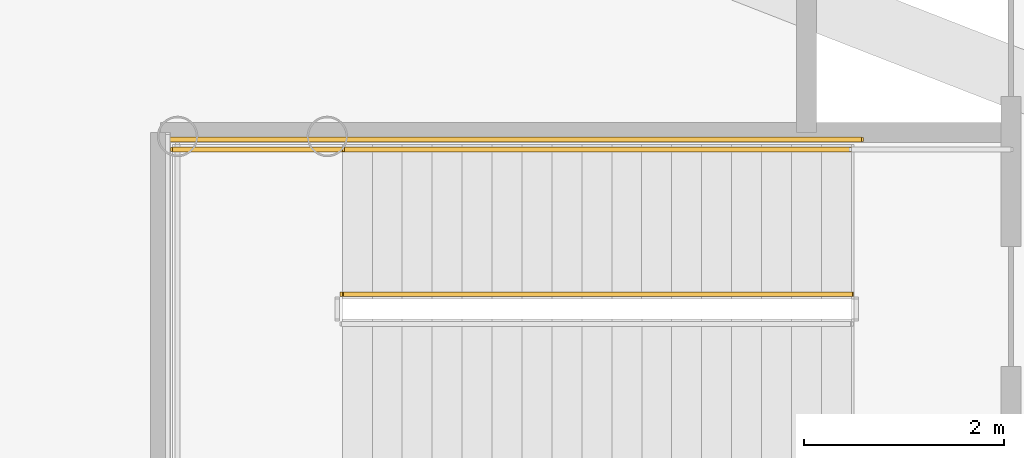
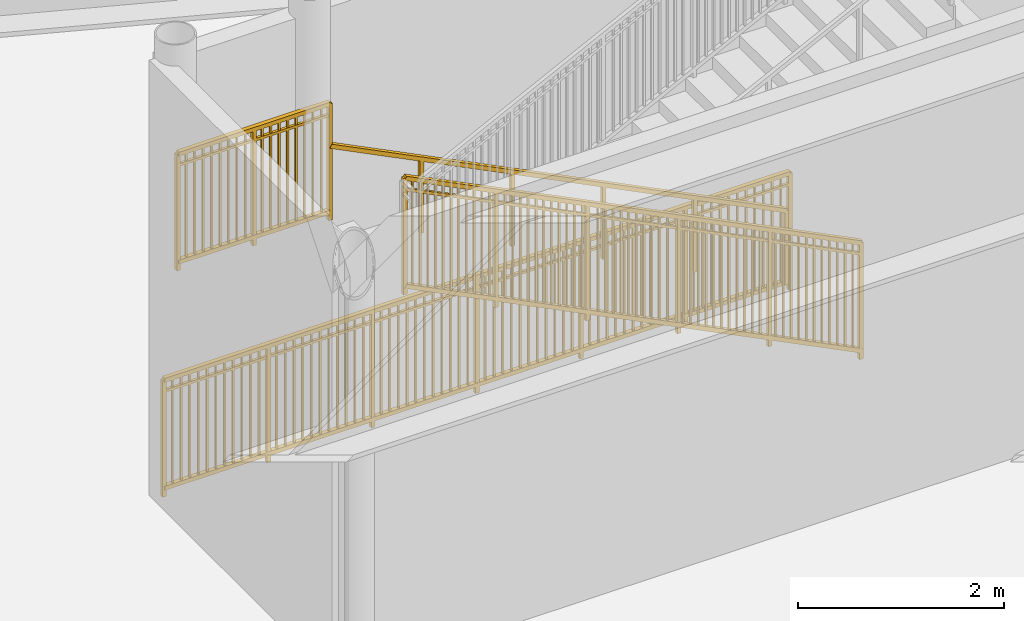
# One storey, part 29 of 39: 4 railings.
"""IFC4 building model written with IfcOpenShell, lengths in metres."""

from ifc_helpers import new_model, si_unit, direction, frame, origin, origin_2d, place, context, subcontext, project, spatial, rectangle, extrude, source, transform, mapped, material, type_object, element, save


model = new_model("IFC4")

# Units and contexts
model_context = context("Model", 3, precision=1e-05, world=origin(), true_north=direction((0.0, 1.0)))
body_context = subcontext(model_context, "Body", "Model", "MODEL_VIEW")
ifc_project = project(units=[si_unit("LENGTHUNIT", "METRE"), si_unit("AREAUNIT", "SQUARE_METRE"), si_unit("VOLUMEUNIT", "CUBIC_METRE"), si_unit("PLANEANGLEUNIT", "RADIAN"), si_unit("MASSUNIT", "GRAM", prefix="KILO")], contexts=[model_context])

# Site, building, storey
site_placement = place(None, origin())
site = spatial("IfcSite", under=ifc_project, at=site_placement, CompositionType="ELEMENT")
building_placement = place(site_placement, origin())
building = spatial("IfcBuilding", under=site, at=building_placement, Name="Linh Dai School and Residence Tower", CompositionType="ELEMENT")
storey_placement = place(building_placement, frame((0.0, 0.0, 27.0)))
storey = spatial("IfcBuildingStorey", under=building, at=storey_placement, Name="L06", CompositionType="ELEMENT", Elevation=27.0)

# Railings
ifc_material_1 = material(Name="Structural Steel S355JR", Category="steel")
railing_type_1 = type_object("IfcRailingType", Name="RL-ST-GUARD-1400", PredefinedType="GUARDRAIL", material=ifc_material_1)
shared_shape_1 = source(origin(), body_context, "Body", "SweptSolid", [
    extrude(rectangle(XDim=0.048095703125, YDim=0.048095703125, at=origin_2d()), frame((0.0, 0.0, 1.3759765625), z_axis=(-1.0, 0.0, 0.0), x_axis=(0.0, -1.0, 0.0)), (0.0, 0.0, 1.0), 7.0),
    extrude(rectangle(XDim=0.048095703125, YDim=0.048095703125, at=origin_2d()), frame((0.0, 0.0, 0.10009765625), z_axis=(-1.0, 0.0, 0.0), x_axis=(0.0, -1.0, 0.0)), (0.0, 0.0, 1.0), 7.0),
    extrude(rectangle(XDim=0.030029296875, YDim=0.030029296875, at=origin_2d()), frame((0.0, 0.0, 1.239990234375), z_axis=(-1.0, 0.0, 0.0), x_axis=(0.0, -1.0, 0.0)), (0.0, 0.0, 1.0), 7.0),
    extrude(rectangle(XDim=0.02001953125, YDim=0.02001953125, at=origin_2d()), frame((-0.09716796875, 0.0, 0.10009765625)), (0.0, 0.0, 1.0), 1.251708984375),
    extrude(rectangle(XDim=0.02001953125, YDim=0.02001953125, at=origin_2d()), frame((-0.1943359375, 0.0, 0.10009765625)), (0.0, 0.0, 1.0), 1.251708984375),
    extrude(rectangle(XDim=0.02001953125, YDim=0.02001953125, at=origin_2d()), frame((-0.291748046875, 0.0, 0.10009765625)), (0.0, 0.0, 1.0), 1.251708984375),
    extrude(rectangle(XDim=0.02001953125, YDim=0.02001953125, at=origin_2d()), frame((-0.388916015625, 0.0, 0.10009765625)), (0.0, 0.0, 1.0), 1.251708984375),
    extrude(rectangle(XDim=0.02001953125, YDim=0.02001953125, at=origin_2d()), frame((-0.486083984375, 0.0, 0.10009765625)), (0.0, 0.0, 1.0), 1.251708984375),
    extrude(rectangle(XDim=0.02001953125, YDim=0.02001953125, at=origin_2d()), frame((-0.583251953125, 0.0, 0.10009765625)), (0.0, 0.0, 1.0), 1.251708984375),
    extrude(rectangle(XDim=0.02001953125, YDim=0.02001953125, at=origin_2d()), frame((-0.6806640625, 0.0, 0.10009765625)), (0.0, 0.0, 1.0), 1.251708984375),
    extrude(rectangle(XDim=0.02001953125, YDim=0.02001953125, at=origin_2d()), frame((-0.77783203125, 0.0, 0.10009765625)), (0.0, 0.0, 1.0), 1.251708984375),
    extrude(rectangle(XDim=0.02001953125, YDim=0.02001953125, at=origin_2d()), frame((-0.875, 0.0, 0.10009765625)), (0.0, 0.0, 1.0), 1.251708984375),
    extrude(rectangle(XDim=0.02001953125, YDim=0.02001953125, at=origin_2d()), frame((-0.97216796875, 0.0, 0.10009765625)), (0.0, 0.0, 1.0), 1.251708984375),
    extrude(rectangle(XDim=0.02001953125, YDim=0.02001953125, at=origin_2d()), frame((-1.0693359375, 0.0, 0.10009765625)), (0.0, 0.0, 1.0), 1.251708984375),
    extrude(rectangle(XDim=0.02001953125, YDim=0.02001953125, at=origin_2d()), frame((-1.263916015625, 0.0, 0.10009765625)), (0.0, 0.0, 1.0), 1.251708984375),
    extrude(rectangle(XDim=0.02001953125, YDim=0.02001953125, at=origin_2d()), frame((-1.361083984375, 0.0, 0.10009765625)), (0.0, 0.0, 1.0), 1.251708984375),
    extrude(rectangle(XDim=0.02001953125, YDim=0.02001953125, at=origin_2d()), frame((-1.458251953125, 0.0, 0.10009765625)), (0.0, 0.0, 1.0), 1.251708984375),
    extrude(rectangle(XDim=0.02001953125, YDim=0.02001953125, at=origin_2d()), frame((-1.5556640625, 0.0, 0.10009765625)), (0.0, 0.0, 1.0), 1.251708984375),
    extrude(rectangle(XDim=0.02001953125, YDim=0.02001953125, at=origin_2d()), frame((-1.65283203125, 0.0, 0.10009765625)), (0.0, 0.0, 1.0), 1.251708984375),
    extrude(rectangle(XDim=0.02001953125, YDim=0.02001953125, at=origin_2d()), frame((-1.75, 0.0, 0.10009765625)), (0.0, 0.0, 1.0), 1.251708984375),
    extrude(rectangle(XDim=0.02001953125, YDim=0.02001953125, at=origin_2d()), frame((-1.84716796875, 0.0, 0.10009765625)), (0.0, 0.0, 1.0), 1.251708984375),
    extrude(rectangle(XDim=0.02001953125, YDim=0.02001953125, at=origin_2d()), frame((-1.9443359375, 0.0, 0.10009765625)), (0.0, 0.0, 1.0), 1.251708984375),
    extrude(rectangle(XDim=0.02001953125, YDim=0.02001953125, at=origin_2d()), frame((-2.041748046875, 0.0, 0.10009765625)), (0.0, 0.0, 1.0), 1.251708984375),
    extrude(rectangle(XDim=0.02001953125, YDim=0.02001953125, at=origin_2d()), frame((-2.138916015625, 0.0, 0.10009765625)), (0.0, 0.0, 1.0), 1.251708984375),
    extrude(rectangle(XDim=0.02001953125, YDim=0.02001953125, at=origin_2d()), frame((-2.236083984375, 0.0, 0.10009765625)), (0.0, 0.0, 1.0), 1.251708984375),
    extrude(rectangle(XDim=0.02001953125, YDim=0.02001953125, at=origin_2d()), frame((-2.4306640625, 0.0, 0.10009765625)), (0.0, 0.0, 1.0), 1.251708984375),
    extrude(rectangle(XDim=0.02001953125, YDim=0.02001953125, at=origin_2d()), frame((-2.52783203125, 0.0, 0.10009765625)), (0.0, 0.0, 1.0), 1.251708984375),
    extrude(rectangle(XDim=0.02001953125, YDim=0.02001953125, at=origin_2d()), frame((-2.625, 0.0, 0.10009765625)), (0.0, 0.0, 1.0), 1.251708984375),
    extrude(rectangle(XDim=0.02001953125, YDim=0.02001953125, at=origin_2d()), frame((-2.72216796875, 0.0, 0.10009765625)), (0.0, 0.0, 1.0), 1.251708984375),
    extrude(rectangle(XDim=0.02001953125, YDim=0.02001953125, at=origin_2d()), frame((-2.8193359375, 0.0, 0.10009765625)), (0.0, 0.0, 1.0), 1.251708984375),
    extrude(rectangle(XDim=0.02001953125, YDim=0.02001953125, at=origin_2d()), frame((-2.916748046875, 0.0, 0.10009765625)), (0.0, 0.0, 1.0), 1.251708984375),
    extrude(rectangle(XDim=0.02001953125, YDim=0.02001953125, at=origin_2d()), frame((-3.013916015625, 0.0, 0.10009765625)), (0.0, 0.0, 1.0), 1.251708984375),
    extrude(rectangle(XDim=0.02001953125, YDim=0.02001953125, at=origin_2d()), frame((-3.111083984375, 0.0, 0.10009765625)), (0.0, 0.0, 1.0), 1.251708984375),
    extrude(rectangle(XDim=0.02001953125, YDim=0.02001953125, at=origin_2d()), frame((-3.208251953125, 0.0, 0.10009765625)), (0.0, 0.0, 1.0), 1.251708984375),
    extrude(rectangle(XDim=0.02001953125, YDim=0.02001953125, at=origin_2d()), frame((-3.3056640625, 0.0, 0.10009765625)), (0.0, 0.0, 1.0), 1.251708984375),
    extrude(rectangle(XDim=0.02001953125, YDim=0.02001953125, at=origin_2d()), frame((-3.40283203125, 0.0, 0.10009765625)), (0.0, 0.0, 1.0), 1.251708984375),
    extrude(rectangle(XDim=0.02001953125, YDim=0.02001953125, at=origin_2d()), frame((-3.59716796875, 0.0, 0.10009765625)), (0.0, 0.0, 1.0), 1.251708984375),
    extrude(rectangle(XDim=0.02001953125, YDim=0.02001953125, at=origin_2d()), frame((-3.6943359375, 0.0, 0.10009765625)), (0.0, 0.0, 1.0), 1.251708984375),
    extrude(rectangle(XDim=0.02001953125, YDim=0.02001953125, at=origin_2d()), frame((-3.791748046875, 0.0, 0.10009765625)), (0.0, 0.0, 1.0), 1.251708984375),
    extrude(rectangle(XDim=0.02001953125, YDim=0.02001953125, at=origin_2d()), frame((-3.888916015625, 0.0, 0.10009765625)), (0.0, 0.0, 1.0), 1.251708984375),
    extrude(rectangle(XDim=0.02001953125, YDim=0.02001953125, at=origin_2d()), frame((-3.986083984375, 0.0, 0.10009765625)), (0.0, 0.0, 1.0), 1.251708984375),
    extrude(rectangle(XDim=0.02001953125, YDim=0.02001953125, at=origin_2d()), frame((-4.083251953125, 0.0, 0.10009765625)), (0.0, 0.0, 1.0), 1.251708984375),
    extrude(rectangle(XDim=0.02001953125, YDim=0.02001953125, at=origin_2d()), frame((-4.1806640625, 0.0, 0.10009765625)), (0.0, 0.0, 1.0), 1.251708984375),
    extrude(rectangle(XDim=0.02001953125, YDim=0.02001953125, at=origin_2d()), frame((-4.27783203125, 0.0, 0.10009765625)), (0.0, 0.0, 1.0), 1.251708984375),
    extrude(rectangle(XDim=0.02001953125, YDim=0.02001953125, at=origin_2d()), frame((-4.375, 0.0, 0.10009765625)), (0.0, 0.0, 1.0), 1.251708984375),
    extrude(rectangle(XDim=0.02001953125, YDim=0.02001953125, at=origin_2d()), frame((-4.47216796875, 0.0, 0.10009765625)), (0.0, 0.0, 1.0), 1.251708984375),
    extrude(rectangle(XDim=0.02001953125, YDim=0.02001953125, at=origin_2d()), frame((-4.5693359375, 0.0, 0.10009765625)), (0.0, 0.0, 1.0), 1.251708984375),
    extrude(rectangle(XDim=0.02001953125, YDim=0.02001953125, at=origin_2d()), frame((-4.763916015625, 0.0, 0.10009765625)), (0.0, 0.0, 1.0), 1.251708984375),
    extrude(rectangle(XDim=0.02001953125, YDim=0.02001953125, at=origin_2d()), frame((-4.861083984375, 0.0, 0.10009765625)), (0.0, 0.0, 1.0), 1.251708984375),
    extrude(rectangle(XDim=0.02001953125, YDim=0.02001953125, at=origin_2d()), frame((-4.958251953125, 0.0, 0.10009765625)), (0.0, 0.0, 1.0), 1.251708984375),
    extrude(rectangle(XDim=0.02001953125, YDim=0.02001953125, at=origin_2d()), frame((-5.0556640625, 0.0, 0.10009765625)), (0.0, 0.0, 1.0), 1.251708984375),
    extrude(rectangle(XDim=0.02001953125, YDim=0.02001953125, at=origin_2d()), frame((-5.15283203125, 0.0, 0.10009765625)), (0.0, 0.0, 1.0), 1.251708984375),
    extrude(rectangle(XDim=0.02001953125, YDim=0.02001953125, at=origin_2d()), frame((-5.25, 0.0, 0.10009765625)), (0.0, 0.0, 1.0), 1.251708984375),
    extrude(rectangle(XDim=0.02001953125, YDim=0.02001953125, at=origin_2d()), frame((-5.34716796875, 0.0, 0.10009765625)), (0.0, 0.0, 1.0), 1.251708984375),
    extrude(rectangle(XDim=0.02001953125, YDim=0.02001953125, at=origin_2d()), frame((-5.4443359375, 0.0, 0.10009765625)), (0.0, 0.0, 1.0), 1.251708984375),
    extrude(rectangle(XDim=0.02001953125, YDim=0.02001953125, at=origin_2d()), frame((-5.541748046875, 0.0, 0.10009765625)), (0.0, 0.0, 1.0), 1.251708984375),
    extrude(rectangle(XDim=0.02001953125, YDim=0.02001953125, at=origin_2d()), frame((-5.638916015625, 0.0, 0.10009765625)), (0.0, 0.0, 1.0), 1.251708984375),
    extrude(rectangle(XDim=0.02001953125, YDim=0.02001953125, at=origin_2d()), frame((-5.736083984375, 0.0, 0.10009765625)), (0.0, 0.0, 1.0), 1.251708984375),
    extrude(rectangle(XDim=0.02001953125, YDim=0.02001953125, at=origin_2d()), frame((-5.9306640625, 0.0, 0.10009765625)), (0.0, 0.0, 1.0), 1.251708984375),
    extrude(rectangle(XDim=0.02001953125, YDim=0.02001953125, at=origin_2d()), frame((-6.02783203125, 0.0, 0.10009765625)), (0.0, 0.0, 1.0), 1.251708984375),
    extrude(rectangle(XDim=0.02001953125, YDim=0.02001953125, at=origin_2d()), frame((-6.125, 0.0, 0.10009765625)), (0.0, 0.0, 1.0), 1.251708984375),
    extrude(rectangle(XDim=0.02001953125, YDim=0.02001953125, at=origin_2d()), frame((-6.22216796875, 0.0, 0.10009765625)), (0.0, 0.0, 1.0), 1.251708984375),
    extrude(rectangle(XDim=0.02001953125, YDim=0.02001953125, at=origin_2d()), frame((-6.3193359375, 0.0, 0.10009765625)), (0.0, 0.0, 1.0), 1.251708984375),
    extrude(rectangle(XDim=0.02001953125, YDim=0.02001953125, at=origin_2d()), frame((-6.416748046875, 0.0, 0.10009765625)), (0.0, 0.0, 1.0), 1.251708984375),
    extrude(rectangle(XDim=0.02001953125, YDim=0.02001953125, at=origin_2d()), frame((-6.513916015625, 0.0, 0.10009765625)), (0.0, 0.0, 1.0), 1.251708984375),
    extrude(rectangle(XDim=0.02001953125, YDim=0.02001953125, at=origin_2d()), frame((-6.611083984375, 0.0, 0.10009765625)), (0.0, 0.0, 1.0), 1.251708984375),
    extrude(rectangle(XDim=0.02001953125, YDim=0.02001953125, at=origin_2d()), frame((-6.708251953125, 0.0, 0.10009765625)), (0.0, 0.0, 1.0), 1.251708984375),
    extrude(rectangle(XDim=0.02001953125, YDim=0.02001953125, at=origin_2d()), frame((-6.8056640625, 0.0, 0.10009765625)), (0.0, 0.0, 1.0), 1.251708984375),
    extrude(rectangle(XDim=0.02001953125, YDim=0.02001953125, at=origin_2d()), frame((-6.90283203125, 0.0, 0.10009765625)), (0.0, 0.0, 1.0), 1.251708984375),
    extrude(rectangle(XDim=0.0419921875, YDim=0.0419921875, at=origin_2d()), origin(), (0.0, 0.0, 1.0), 1.3759765625),
    extrude(rectangle(XDim=0.0419921875, YDim=0.0419921875, at=origin_2d()), frame((-1.166748046875, 0.0, 0.0)), (0.0, 0.0, 1.0), 1.3759765625),
    extrude(rectangle(XDim=0.0419921875, YDim=0.0419921875, at=origin_2d()), frame((-2.333251953125, 0.0, 0.0)), (0.0, 0.0, 1.0), 1.3759765625),
    extrude(rectangle(XDim=0.0419921875, YDim=0.0419921875, at=origin_2d()), frame((-3.5, 0.0, 0.0)), (0.0, 0.0, 1.0), 1.3759765625),
    extrude(rectangle(XDim=0.0419921875, YDim=0.0419921875, at=origin_2d()), frame((-4.666748046875, 0.0, 0.0)), (0.0, 0.0, 1.0), 1.3759765625),
    extrude(rectangle(XDim=0.0419921875, YDim=0.0419921875, at=origin_2d()), frame((-5.833251953125, 0.0, 0.0)), (0.0, 0.0, 1.0), 1.3759765625),
    extrude(rectangle(XDim=0.0419921875, YDim=0.0419921875, at=origin_2d()), frame((-7.0, 0.0, 0.0)), (0.0, 0.0, 1.0), 1.3759765625),
])
railing_1_placement = place(storey_placement, frame((22.5, 31.050048828125, 0.0)))
element("IfcRailing", 1, at=railing_1_placement, inside=storey, type_object=railing_type_1, Name="L06 STS1 stair guard 10", PredefinedType="GUARDRAIL", context=body_context, shape_type="MappedRepresentation", body=[
    mapped(shared_shape_1, transform((0.0, 0.0, 0.0), x_axis=(1.0, 0.0, 0.0), y_axis=(0.0, 1.0, 0.0), z_axis=(0.0, 0.0, 1.0), scale=1.0)),
])
shared_shape_2 = source(origin(), body_context, "Body", "SweptSolid", [
    extrude(rectangle(XDim=0.048095703125, YDim=0.048095703125, at=origin_2d()), frame((0.0, 0.0, 1.3759765625), z_axis=(-0.894418627299, 0.0, 0.447230722492), x_axis=(0.0, -1.0, 0.0)), (0.0, 0.0, 1.0), 5.701904296875),
    extrude(rectangle(XDim=0.048095703125, YDim=0.048095703125, at=origin_2d()), frame((0.0, 0.0, 0.10009765625), z_axis=(-0.894418627299, 0.0, 0.447230722492), x_axis=(0.0, -1.0, 0.0)), (0.0, 0.0, 1.0), 5.701904296875),
    extrude(rectangle(XDim=0.030029296875, YDim=0.030029296875, at=origin_2d()), frame((0.0, 0.0, 1.239990234375), z_axis=(-0.894418627299, 0.0, 0.447230722492), x_axis=(0.0, -1.0, 0.0)), (0.0, 0.0, 1.0), 5.701904296875),
    extrude(rectangle(XDim=0.02001953125, YDim=0.02001953125, at=origin_2d()), frame((-0.08642578125, 0.0, 0.143310546875)), (0.0, 0.0, 1.0), 1.251708984375),
    extrude(rectangle(XDim=0.02001953125, YDim=0.02001953125, at=origin_2d()), frame((-0.1728515625, 0.0, 0.1865234375)), (0.0, 0.0, 1.0), 1.251708984375),
    extrude(rectangle(XDim=0.02001953125, YDim=0.02001953125, at=origin_2d()), frame((-0.25927734375, 0.0, 0.229736328125)), (0.0, 0.0, 1.0), 1.251708984375),
    extrude(rectangle(XDim=0.02001953125, YDim=0.02001953125, at=origin_2d()), frame((-0.345703125, 0.0, 0.27294921875)), (0.0, 0.0, 1.0), 1.251708984375),
    extrude(rectangle(XDim=0.02001953125, YDim=0.02001953125, at=origin_2d()), frame((-0.43212890625, 0.0, 0.316162109375)), (0.0, 0.0, 1.0), 1.251708984375),
    extrude(rectangle(XDim=0.02001953125, YDim=0.02001953125, at=origin_2d()), frame((-0.5185546875, 0.0, 0.359375)), (0.0, 0.0, 1.0), 1.251708984375),
    extrude(rectangle(XDim=0.02001953125, YDim=0.02001953125, at=origin_2d()), frame((-0.60498046875, 0.0, 0.402587890625)), (0.0, 0.0, 1.0), 1.251708984375),
    extrude(rectangle(XDim=0.02001953125, YDim=0.02001953125, at=origin_2d()), frame((-0.69140625, 0.0, 0.44580078125)), (0.0, 0.0, 1.0), 1.251708984375),
    extrude(rectangle(XDim=0.02001953125, YDim=0.02001953125, at=origin_2d()), frame((-0.77783203125, 0.0, 0.489013671875)), (0.0, 0.0, 1.0), 1.251708984375),
    extrude(rectangle(XDim=0.02001953125, YDim=0.02001953125, at=origin_2d()), frame((-0.864501953125, 0.0, 0.5322265625)), (0.0, 0.0, 1.0), 1.251708984375),
    extrude(rectangle(XDim=0.02001953125, YDim=0.02001953125, at=origin_2d()), frame((-0.950927734375, 0.0, 0.575439453125)), (0.0, 0.0, 1.0), 1.251708984375),
    extrude(rectangle(XDim=0.02001953125, YDim=0.02001953125, at=origin_2d()), frame((-1.123779296875, 0.0, 0.661865234375)), (0.0, 0.0, 1.0), 1.251708984375),
    extrude(rectangle(XDim=0.02001953125, YDim=0.02001953125, at=origin_2d()), frame((-1.210205078125, 0.0, 0.705078125)), (0.0, 0.0, 1.0), 1.251708984375),
    extrude(rectangle(XDim=0.02001953125, YDim=0.02001953125, at=origin_2d()), frame((-1.296630859375, 0.0, 0.74853515625)), (0.0, 0.0, 1.0), 1.251708984375),
    extrude(rectangle(XDim=0.02001953125, YDim=0.02001953125, at=origin_2d()), frame((-1.383056640625, 0.0, 0.791748046875)), (0.0, 0.0, 1.0), 1.251708984375),
    extrude(rectangle(XDim=0.02001953125, YDim=0.02001953125, at=origin_2d()), frame((-1.469482421875, 0.0, 0.8349609375)), (0.0, 0.0, 1.0), 1.251708984375),
    extrude(rectangle(XDim=0.02001953125, YDim=0.02001953125, at=origin_2d()), frame((-1.555908203125, 0.0, 0.878173828125)), (0.0, 0.0, 1.0), 1.251708984375),
    extrude(rectangle(XDim=0.02001953125, YDim=0.02001953125, at=origin_2d()), frame((-1.642333984375, 0.0, 0.92138671875)), (0.0, 0.0, 1.0), 1.251708984375),
    extrude(rectangle(XDim=0.02001953125, YDim=0.02001953125, at=origin_2d()), frame((-1.728759765625, 0.0, 0.964599609375)), (0.0, 0.0, 1.0), 1.251708984375),
    extrude(rectangle(XDim=0.02001953125, YDim=0.02001953125, at=origin_2d()), frame((-1.815185546875, 0.0, 1.0078125)), (0.0, 0.0, 1.0), 1.251708984375),
    extrude(rectangle(XDim=0.02001953125, YDim=0.02001953125, at=origin_2d()), frame((-1.901611328125, 0.0, 1.051025390625)), (0.0, 0.0, 1.0), 1.251708984375),
    extrude(rectangle(XDim=0.02001953125, YDim=0.02001953125, at=origin_2d()), frame((-1.988037109375, 0.0, 1.09423828125)), (0.0, 0.0, 1.0), 1.251708984375),
    extrude(rectangle(XDim=0.02001953125, YDim=0.02001953125, at=origin_2d()), frame((-2.160888671875, 0.0, 1.1806640625)), (0.0, 0.0, 1.0), 1.251708984375),
    extrude(rectangle(XDim=0.02001953125, YDim=0.02001953125, at=origin_2d()), frame((-2.247314453125, 0.0, 1.223876953125)), (0.0, 0.0, 1.0), 1.251708984375),
    extrude(rectangle(XDim=0.02001953125, YDim=0.02001953125, at=origin_2d()), frame((-2.333740234375, 0.0, 1.26708984375)), (0.0, 0.0, 1.0), 1.251708984375),
    extrude(rectangle(XDim=0.02001953125, YDim=0.02001953125, at=origin_2d()), frame((-2.420166015625, 0.0, 1.310302734375)), (0.0, 0.0, 1.0), 1.251708984375),
    extrude(rectangle(XDim=0.02001953125, YDim=0.02001953125, at=origin_2d()), frame((-2.506591796875, 0.0, 1.353515625)), (0.0, 0.0, 1.0), 1.251708984375),
    extrude(rectangle(XDim=0.02001953125, YDim=0.02001953125, at=origin_2d()), frame((-2.59326171875, 0.0, 1.396728515625)), (0.0, 0.0, 1.0), 1.251708984375),
    extrude(rectangle(XDim=0.02001953125, YDim=0.02001953125, at=origin_2d()), frame((-2.6796875, 0.0, 1.43994140625)), (0.0, 0.0, 1.0), 1.251708984375),
    extrude(rectangle(XDim=0.02001953125, YDim=0.02001953125, at=origin_2d()), frame((-2.76611328125, 0.0, 1.483154296875)), (0.0, 0.0, 1.0), 1.251708984375),
    extrude(rectangle(XDim=0.02001953125, YDim=0.02001953125, at=origin_2d()), frame((-2.8525390625, 0.0, 1.5263671875)), (0.0, 0.0, 1.0), 1.251708984375),
    extrude(rectangle(XDim=0.02001953125, YDim=0.02001953125, at=origin_2d()), frame((-2.93896484375, 0.0, 1.569580078125)), (0.0, 0.0, 1.0), 1.251708984375),
    extrude(rectangle(XDim=0.02001953125, YDim=0.02001953125, at=origin_2d()), frame((-3.11181640625, 0.0, 1.656005859375)), (0.0, 0.0, 1.0), 1.251708984375),
    extrude(rectangle(XDim=0.02001953125, YDim=0.02001953125, at=origin_2d()), frame((-3.1982421875, 0.0, 1.69921875)), (0.0, 0.0, 1.0), 1.251708984375),
    extrude(rectangle(XDim=0.02001953125, YDim=0.02001953125, at=origin_2d()), frame((-3.28466796875, 0.0, 1.742431640625)), (0.0, 0.0, 1.0), 1.251708984375),
    extrude(rectangle(XDim=0.02001953125, YDim=0.02001953125, at=origin_2d()), frame((-3.37109375, 0.0, 1.78564453125)), (0.0, 0.0, 1.0), 1.251708984375),
    extrude(rectangle(XDim=0.02001953125, YDim=0.02001953125, at=origin_2d()), frame((-3.45751953125, 0.0, 1.828857421875)), (0.0, 0.0, 1.0), 1.251708984375),
    extrude(rectangle(XDim=0.02001953125, YDim=0.02001953125, at=origin_2d()), frame((-3.5439453125, 0.0, 1.8720703125)), (0.0, 0.0, 1.0), 1.251708984375),
    extrude(rectangle(XDim=0.02001953125, YDim=0.02001953125, at=origin_2d()), frame((-3.63037109375, 0.0, 1.915283203125)), (0.0, 0.0, 1.0), 1.251708984375),
    extrude(rectangle(XDim=0.02001953125, YDim=0.02001953125, at=origin_2d()), frame((-3.716796875, 0.0, 1.95849609375)), (0.0, 0.0, 1.0), 1.251708984375),
    extrude(rectangle(XDim=0.02001953125, YDim=0.02001953125, at=origin_2d()), frame((-3.80322265625, 0.0, 2.001708984375)), (0.0, 0.0, 1.0), 1.251708984375),
    extrude(rectangle(XDim=0.02001953125, YDim=0.02001953125, at=origin_2d()), frame((-3.8896484375, 0.0, 2.045166015625)), (0.0, 0.0, 1.0), 1.251708984375),
    extrude(rectangle(XDim=0.02001953125, YDim=0.02001953125, at=origin_2d()), frame((-3.97607421875, 0.0, 2.08837890625)), (0.0, 0.0, 1.0), 1.251708984375),
    extrude(rectangle(XDim=0.02001953125, YDim=0.02001953125, at=origin_2d()), frame((-4.14892578125, 0.0, 2.1748046875)), (0.0, 0.0, 1.0), 1.251708984375),
    extrude(rectangle(XDim=0.02001953125, YDim=0.02001953125, at=origin_2d()), frame((-4.2353515625, 0.0, 2.218017578125)), (0.0, 0.0, 1.0), 1.251708984375),
    extrude(rectangle(XDim=0.02001953125, YDim=0.02001953125, at=origin_2d()), frame((-4.322021484375, 0.0, 2.26123046875)), (0.0, 0.0, 1.0), 1.251708984375),
    extrude(rectangle(XDim=0.02001953125, YDim=0.02001953125, at=origin_2d()), frame((-4.408447265625, 0.0, 2.304443359375)), (0.0, 0.0, 1.0), 1.251708984375),
    extrude(rectangle(XDim=0.02001953125, YDim=0.02001953125, at=origin_2d()), frame((-4.494873046875, 0.0, 2.34765625)), (0.0, 0.0, 1.0), 1.251708984375),
    extrude(rectangle(XDim=0.02001953125, YDim=0.02001953125, at=origin_2d()), frame((-4.581298828125, 0.0, 2.390869140625)), (0.0, 0.0, 1.0), 1.251708984375),
    extrude(rectangle(XDim=0.02001953125, YDim=0.02001953125, at=origin_2d()), frame((-4.667724609375, 0.0, 2.43408203125)), (0.0, 0.0, 1.0), 1.251708984375),
    extrude(rectangle(XDim=0.02001953125, YDim=0.02001953125, at=origin_2d()), frame((-4.754150390625, 0.0, 2.477294921875)), (0.0, 0.0, 1.0), 1.251708984375),
    extrude(rectangle(XDim=0.02001953125, YDim=0.02001953125, at=origin_2d()), frame((-4.840576171875, 0.0, 2.5205078125)), (0.0, 0.0, 1.0), 1.251708984375),
    extrude(rectangle(XDim=0.02001953125, YDim=0.02001953125, at=origin_2d()), frame((-4.927001953125, 0.0, 2.563720703125)), (0.0, 0.0, 1.0), 1.251708984375),
    extrude(rectangle(XDim=0.02001953125, YDim=0.02001953125, at=origin_2d()), frame((-5.013427734375, 0.0, 2.60693359375)), (0.0, 0.0, 1.0), 1.251708984375),
    extrude(rectangle(XDim=0.0419921875, YDim=0.0419921875, at=origin_2d()), origin(), (0.0, 0.0, 1.0), 1.3759765625),
    extrude(rectangle(XDim=0.0419921875, YDim=0.0419921875, at=origin_2d()), frame((-1.02001953125, 0.0, 0.510009765625)), (0.0, 0.0, 1.0), 1.3759765625),
    extrude(rectangle(XDim=0.0419921875, YDim=0.0419921875, at=origin_2d()), frame((-2.0400390625, 0.0, 1.02001953125)), (0.0, 0.0, 1.0), 1.3759765625),
    extrude(rectangle(XDim=0.0419921875, YDim=0.0419921875, at=origin_2d()), frame((-3.059814453125, 0.0, 1.530029296875)), (0.0, 0.0, 1.0), 1.3759765625),
    extrude(rectangle(XDim=0.0419921875, YDim=0.0419921875, at=origin_2d()), frame((-4.079833984375, 0.0, 2.0400390625)), (0.0, 0.0, 1.0), 1.3759765625),
    extrude(rectangle(XDim=0.0419921875, YDim=0.0419921875, at=origin_2d()), frame((-5.099853515625, 0.0, 2.550048828125)), (0.0, 0.0, 1.0), 1.3759765625),
])
railing_2_placement = place(storey_placement, frame((22.39990234375, 29.5, 0.14990234375)))
element("IfcRailing", 2, at=railing_2_placement, inside=storey, type_object=railing_type_1, Name="L06 STS1 stair guard 1", PredefinedType="GUARDRAIL", context=body_context, shape_type="MappedRepresentation", body=[
    mapped(shared_shape_2, transform((0.0, 0.0, 0.0), x_axis=(1.0, 0.0, 0.0), y_axis=(0.0, 1.0, 0.0), z_axis=(0.0, 0.0, 1.0), scale=1.0)),
])
shared_shape_3 = source(origin(), body_context, "Body", "SweptSolid", [
    extrude(rectangle(XDim=0.048095703125, YDim=0.048095703125, at=origin_2d()), frame((0.0, 0.0, 1.3759765625), z_axis=(-1.0, 0.0, 0.0), x_axis=(0.0, -1.0, 0.0)), (0.0, 0.0, 1.0), 1.699951171875),
    extrude(rectangle(XDim=0.048095703125, YDim=0.048095703125, at=origin_2d()), frame((0.0, 0.0, 0.10009765625), z_axis=(-1.0, 0.0, 0.0), x_axis=(0.0, -1.0, 0.0)), (0.0, 0.0, 1.0), 1.699951171875),
    extrude(rectangle(XDim=0.030029296875, YDim=0.030029296875, at=origin_2d()), frame((0.0, 0.0, 1.239990234375), z_axis=(-1.0, 0.0, 0.0), x_axis=(0.0, -1.0, 0.0)), (0.0, 0.0, 1.0), 1.699951171875),
    extrude(rectangle(XDim=0.02001953125, YDim=0.02001953125, at=origin_2d()), frame((-0.094482421875, 0.0, 0.10009765625)), (0.0, 0.0, 1.0), 1.251708984375),
    extrude(rectangle(XDim=0.02001953125, YDim=0.02001953125, at=origin_2d()), frame((-0.18896484375, 0.0, 0.10009765625)), (0.0, 0.0, 1.0), 1.251708984375),
    extrude(rectangle(XDim=0.02001953125, YDim=0.02001953125, at=origin_2d()), frame((-0.283203125, 0.0, 0.10009765625)), (0.0, 0.0, 1.0), 1.251708984375),
    extrude(rectangle(XDim=0.02001953125, YDim=0.02001953125, at=origin_2d()), frame((-0.377685546875, 0.0, 0.10009765625)), (0.0, 0.0, 1.0), 1.251708984375),
    extrude(rectangle(XDim=0.02001953125, YDim=0.02001953125, at=origin_2d()), frame((-0.47216796875, 0.0, 0.10009765625)), (0.0, 0.0, 1.0), 1.251708984375),
    extrude(rectangle(XDim=0.02001953125, YDim=0.02001953125, at=origin_2d()), frame((-0.566650390625, 0.0, 0.10009765625)), (0.0, 0.0, 1.0), 1.251708984375),
    extrude(rectangle(XDim=0.02001953125, YDim=0.02001953125, at=origin_2d()), frame((-0.6611328125, 0.0, 0.10009765625)), (0.0, 0.0, 1.0), 1.251708984375),
    extrude(rectangle(XDim=0.02001953125, YDim=0.02001953125, at=origin_2d()), frame((-0.755615234375, 0.0, 0.10009765625)), (0.0, 0.0, 1.0), 1.251708984375),
    extrude(rectangle(XDim=0.02001953125, YDim=0.02001953125, at=origin_2d()), frame((-0.9443359375, 0.0, 0.10009765625)), (0.0, 0.0, 1.0), 1.251708984375),
    extrude(rectangle(XDim=0.02001953125, YDim=0.02001953125, at=origin_2d()), frame((-1.038818359375, 0.0, 0.10009765625)), (0.0, 0.0, 1.0), 1.251708984375),
    extrude(rectangle(XDim=0.02001953125, YDim=0.02001953125, at=origin_2d()), frame((-1.13330078125, 0.0, 0.10009765625)), (0.0, 0.0, 1.0), 1.251708984375),
    extrude(rectangle(XDim=0.02001953125, YDim=0.02001953125, at=origin_2d()), frame((-1.227783203125, 0.0, 0.10009765625)), (0.0, 0.0, 1.0), 1.251708984375),
    extrude(rectangle(XDim=0.02001953125, YDim=0.02001953125, at=origin_2d()), frame((-1.322265625, 0.0, 0.10009765625)), (0.0, 0.0, 1.0), 1.251708984375),
    extrude(rectangle(XDim=0.02001953125, YDim=0.02001953125, at=origin_2d()), frame((-1.41650390625, 0.0, 0.10009765625)), (0.0, 0.0, 1.0), 1.251708984375),
    extrude(rectangle(XDim=0.02001953125, YDim=0.02001953125, at=origin_2d()), frame((-1.510986328125, 0.0, 0.10009765625)), (0.0, 0.0, 1.0), 1.251708984375),
    extrude(rectangle(XDim=0.02001953125, YDim=0.02001953125, at=origin_2d()), frame((-1.60546875, 0.0, 0.10009765625)), (0.0, 0.0, 1.0), 1.251708984375),
    extrude(rectangle(XDim=0.0419921875, YDim=0.0419921875, at=origin_2d()), origin(), (0.0, 0.0, 1.0), 1.3759765625),
    extrude(rectangle(XDim=0.0419921875, YDim=0.0419921875, at=origin_2d()), frame((-0.85009765625, 0.0, 0.0)), (0.0, 0.0, 1.0), 1.3759765625),
    extrude(rectangle(XDim=0.0419921875, YDim=0.0419921875, at=origin_2d()), frame((-1.699951171875, 0.0, 0.0)), (0.0, 0.0, 1.0), 1.3759765625),
])
railing_3_placement = place(storey_placement, frame((17.300048828125, 30.949951171875, 2.699951171875)))
element("IfcRailing", 3, at=railing_3_placement, inside=storey, type_object=railing_type_1, Name="L06 STS1 stair guard 3", PredefinedType="GUARDRAIL", context=body_context, shape_type="MappedRepresentation", body=[
    mapped(shared_shape_3, transform((0.0, 0.0, 0.0), x_axis=(1.0, 0.0, 0.0), y_axis=(0.0, 1.0, 0.0), z_axis=(0.0, 0.0, 1.0), scale=1.0)),
])
ifc_material_2 = material(Name="Brushed Stainless Steel Handrail", Category="steel")
railing_type_2 = type_object("IfcRailingType", Name="RL-ST-HANDRAIL-900", PredefinedType="HANDRAIL", material=ifc_material_2)
shared_shape_4 = source(origin(), body_context, "Body", "SweptSolid", [
    extrude(rectangle(XDim=0.048095703125, YDim=0.048095703125, at=origin_2d()), frame((0.0, 0.0, 0.8759765625), z_axis=(-0.894418627299, 0.0, 0.447230722492), x_axis=(0.0, -1.0, 0.0)), (0.0, 0.0, 1.0), 5.701904296875),
    extrude(rectangle(XDim=0.0419921875, YDim=0.0419921875, at=origin_2d()), origin(), (0.0, 0.0, 1.0), 0.8759765625),
    extrude(rectangle(XDim=0.0419921875, YDim=0.0419921875, at=origin_2d()), frame((-1.02001953125, 0.0, 0.510009765625)), (0.0, 0.0, 1.0), 0.8759765625),
    extrude(rectangle(XDim=0.0419921875, YDim=0.0419921875, at=origin_2d()), frame((-2.0400390625, 0.0, 1.02001953125)), (0.0, 0.0, 1.0), 0.8759765625),
    extrude(rectangle(XDim=0.0419921875, YDim=0.0419921875, at=origin_2d()), frame((-3.059814453125, 0.0, 1.530029296875)), (0.0, 0.0, 1.0), 0.8759765625),
    extrude(rectangle(XDim=0.0419921875, YDim=0.0419921875, at=origin_2d()), frame((-4.079833984375, 0.0, 2.0400390625)), (0.0, 0.0, 1.0), 0.8759765625),
    extrude(rectangle(XDim=0.0419921875, YDim=0.0419921875, at=origin_2d()), frame((-5.099853515625, 0.0, 2.550048828125)), (0.0, 0.0, 1.0), 0.8759765625),
])
railing_4_placement = place(storey_placement, frame((22.39990234375, 30.949951171875, 0.14990234375)))
element("IfcRailing", 4, at=railing_4_placement, inside=storey, type_object=railing_type_2, Name="L06 STS1 stair handrail 1", PredefinedType="HANDRAIL", context=body_context, shape_type="MappedRepresentation", body=[
    mapped(shared_shape_4, transform((0.0, 0.0, 0.0), x_axis=(1.0, 0.0, 0.0), y_axis=(0.0, 1.0, 0.0), z_axis=(0.0, 0.0, 1.0), scale=1.0)),
])

save(model, "model.ifc")
